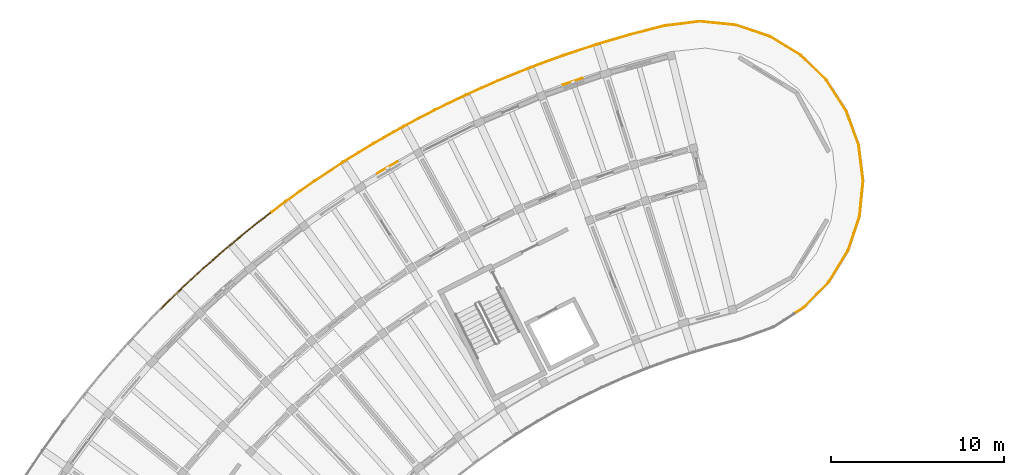
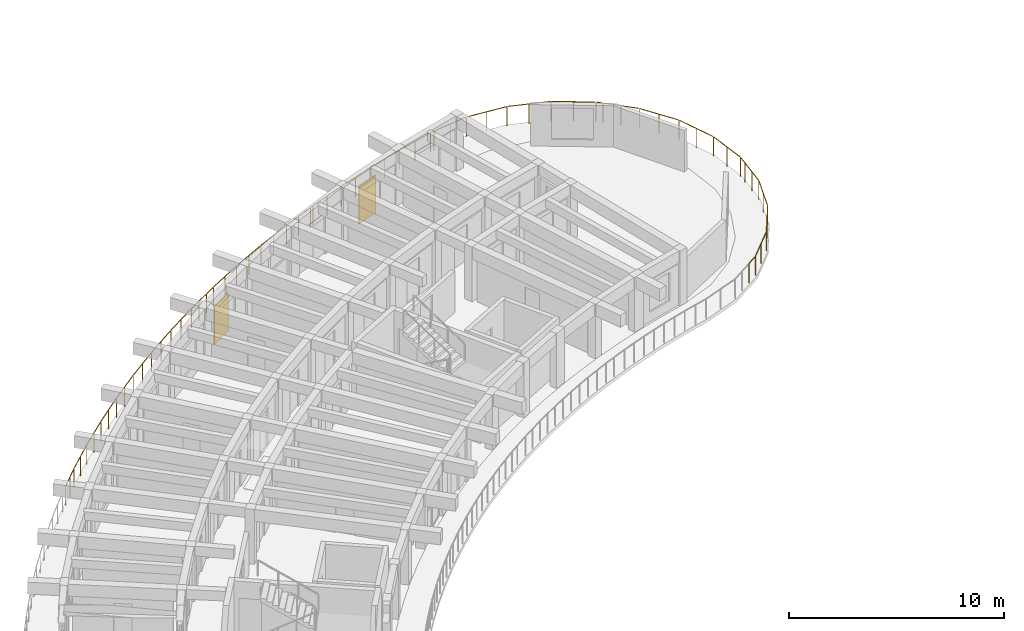
# One storey, part 30 of 32: 7 railings, 2 shading devices.
"""IFC4 building model written with IfcOpenShell, lengths in metres."""

from ifc_helpers import new_model, si_unit, direction, frame, origin, origin_2d, place, context, subcontext, project, spatial, rectangle, circle, extrude, material, layer, layer_set, type_object, element, save


model = new_model("IFC4")

# Units and contexts
model_context = context("Model", 3, precision=1e-05, world=origin(), true_north=direction((0.0, 1.0)))
body_context = subcontext(model_context, "Body", "Model", "MODEL_VIEW")
ifc_project = project(units=[si_unit("LENGTHUNIT", "METRE"), si_unit("AREAUNIT", "SQUARE_METRE"), si_unit("VOLUMEUNIT", "CUBIC_METRE"), si_unit("PLANEANGLEUNIT", "RADIAN"), si_unit("MASSUNIT", "GRAM", prefix="KILO")], contexts=[model_context])

# Site, building, storey
site_placement = place(None, origin())
site = spatial("IfcSite", under=ifc_project, at=site_placement, CompositionType="ELEMENT")
building_placement = place(site_placement, origin())
building = spatial("IfcBuilding", under=site, at=building_placement, Name="Tanwirah Colonnade Gardens", CompositionType="ELEMENT")
storey_placement = place(building_placement, frame((0.0, 0.0, 42.43994140625)))
storey = spatial("IfcBuildingStorey", under=building, at=storey_placement, Name="L12", CompositionType="ELEMENT", Elevation=42.43994140625)

# Railings
ifc_material_1 = material(Name="Precast concrete C40/50", Category="concrete")
railing_type = type_object("IfcRailingType", Name="BAL-EXT112", PredefinedType="BALUSTRADE", material=ifc_material_1)
railing_1_placement = place(storey_placement, frame((21.5400390625, 103.44970703125, 0.0)))
element("IfcRailing", 1, at=railing_1_placement, inside=storey, type_object=railing_type, Name="Block A L12 Balcony Ribbon Balustrade 12", PredefinedType="BALUSTRADE", context=body_context, shape_type="SweptSolid", body=[
    extrude(circle(Radius=0.02392578125, at=origin_2d()), frame((0.022216796875, 0.02197265625, 1.09619140625), z_axis=(0.710450809908, 0.703746862658, 0.0), x_axis=(-0.703746862658, 0.710450809908, 0.0)), (0.0, 0.0, 1.0), 1.394287109375),
    extrude(circle(Radius=0.02392578125, at=origin_2d()), frame((1.057861328125, 1.04638671875, 1.09619140625), z_axis=(0.733352454033, 0.679848643569, 0.0), x_axis=(-0.679848643569, 0.733352454033, 0.0)), (0.0, 0.0, 1.0), 1.958984375),
    extrude(circle(Radius=0.02392578125, at=origin_2d()), frame((2.541015625, 2.419921875, 1.09619140625), z_axis=(0.755338292497, 0.655335077565, 0.0), x_axis=(-0.655335077565, 0.755338292497, 0.0)), (0.0, 0.0, 1.0), 1.958984375),
    extrude(circle(Radius=0.02392578125, at=origin_2d()), frame((4.068359375, 3.743896484375, 1.09619140625), z_axis=(0.776549722569, 0.630055972417, 0.0), x_axis=(-0.630055972417, 0.776549722569, 0.0)), (0.0, 0.0, 1.0), 1.958984375),
    extrude(circle(Radius=0.02392578125, at=origin_2d()), frame((5.638916015625, 5.0166015625, 1.09619140625), z_axis=(0.796906571229, 0.604102571367, 0.0), x_axis=(-0.604102571367, 0.796906571229, 0.0)), (0.0, 0.0, 1.0), 0.916259765625),
    extrude(circle(Radius=0.02099609375, at=origin_2d()), origin(), (0.0, 0.0, 1.0), 1.069091796875),
    extrude(circle(Radius=0.02099609375, at=origin_2d()), frame((0.517578125, 0.5126953125, 0.0)), (0.0, 0.0, 1.0), 1.069091796875),
    extrude(circle(Radius=0.02099609375, at=origin_2d()), frame((1.034912109375, 1.025146484375, 0.0)), (0.0, 0.0, 1.0), 1.069091796875),
    extrude(circle(Radius=0.02099609375, at=origin_2d()), frame((1.776123046875, 1.71240234375, 0.0)), (0.0, 0.0, 1.0), 1.069091796875),
    extrude(circle(Radius=0.02099609375, at=origin_2d()), frame((2.517333984375, 2.3994140625, 0.0)), (0.0, 0.0, 1.0), 1.069091796875),
    extrude(circle(Radius=0.02099609375, at=origin_2d()), frame((3.28076171875, 3.061767578125, 0.0)), (0.0, 0.0, 1.0), 1.069091796875),
    extrude(circle(Radius=0.02099609375, at=origin_2d()), frame((4.044189453125, 3.72412109375, 0.0)), (0.0, 0.0, 1.0), 1.069091796875),
    extrude(circle(Radius=0.02099609375, at=origin_2d()), frame((4.8291015625, 4.36083984375, 0.0)), (0.0, 0.0, 1.0), 1.069091796875),
    extrude(circle(Radius=0.02099609375, at=origin_2d()), frame((5.614013671875, 4.997802734375, 0.0)), (0.0, 0.0, 1.0), 1.069091796875),
    extrude(circle(Radius=0.02099609375, at=origin_2d()), frame((6.39404296875, 5.589111328125, 0.0)), (0.0, 0.0, 1.0), 1.069091796875),
])
railing_2_placement = place(storey_placement, frame((27.93408203125, 109.038818359375, 0.0)))
element("IfcRailing", 2, at=railing_2_placement, inside=storey, type_object=railing_type, Name="Block A L12 Balcony Ribbon Balustrade 13", PredefinedType="BALUSTRADE", context=body_context, shape_type="SweptSolid", body=[
    extrude(circle(Radius=0.02392578125, at=origin_2d()), frame((0.02490234375, 0.018798828125, 1.09619140625), z_axis=(0.796870086541, 0.604150697407, 0.0), x_axis=(-0.604150697407, 0.796870086541, 0.0)), (0.0, 0.0, 1.0), 0.97998046875),
    extrude(circle(Radius=0.02392578125, at=origin_2d()), frame((0.8564453125, 0.64794921875, 1.09619140625), z_axis=(0.816344803849, 0.577564854565, 0.0), x_axis=(-0.577564854565, 0.816344803849, 0.0)), (0.0, 0.0, 1.0), 1.958740234375),
    extrude(circle(Radius=0.02392578125, at=origin_2d()), frame((2.507080078125, 1.814453125, 1.09619140625), z_axis=(0.834955682369, 0.550317188973, 0.0), x_axis=(-0.550317188973, 0.834955682369, 0.0)), (0.0, 0.0, 1.0), 1.959228515625),
    extrude(circle(Radius=0.02392578125, at=origin_2d()), frame((4.195556640625, 2.92626953125, 1.09619140625), z_axis=(0.852660263329, 0.522465764754, 0.0), x_axis=(-0.522465764754, 0.852660263329, 0.0)), (0.0, 0.0, 1.0), 1.958984375),
    extrude(circle(Radius=0.02392578125, at=origin_2d()), frame((5.919677734375, 3.9814453125, 1.09619140625), z_axis=(0.869394952384, 0.494117816688, 0.0), x_axis=(-0.494117816688, 0.869394952384, 0.0)), (0.0, 0.0, 1.0), 1.330322265625),
    extrude(circle(Radius=0.02099609375, at=origin_2d()), origin(), (0.0, 0.0, 1.0), 1.069091796875),
    extrude(circle(Radius=0.02099609375, at=origin_2d()), frame((0.830810546875, 0.6298828125, 0.0)), (0.0, 0.0, 1.0), 1.069091796875),
    extrude(circle(Radius=0.02099609375, at=origin_2d()), frame((1.65576171875, 1.213623046875, 0.0)), (0.0, 0.0, 1.0), 1.069091796875),
    extrude(circle(Radius=0.02099609375, at=origin_2d()), frame((2.48095703125, 1.79736328125, 0.0)), (0.0, 0.0, 1.0), 1.069091796875),
    extrude(circle(Radius=0.02099609375, at=origin_2d()), frame((3.324951171875, 2.353515625, 0.0)), (0.0, 0.0, 1.0), 1.069091796875),
    extrude(circle(Radius=0.02099609375, at=origin_2d()), frame((4.1689453125, 2.909912109375, 0.0)), (0.0, 0.0, 1.0), 1.069091796875),
    extrude(circle(Radius=0.02099609375, at=origin_2d()), frame((5.03076171875, 3.43798828125, 0.0)), (0.0, 0.0, 1.0), 1.069091796875),
    extrude(circle(Radius=0.02099609375, at=origin_2d()), frame((5.892578125, 3.966064453125, 0.0)), (0.0, 0.0, 1.0), 1.069091796875),
    extrude(circle(Radius=0.02099609375, at=origin_2d()), frame((6.498046875, 4.31005859375, 0.0)), (0.0, 0.0, 1.0), 1.069091796875),
    extrude(circle(Radius=0.02099609375, at=origin_2d()), frame((7.103515625, 4.654296875, 0.0)), (0.0, 0.0, 1.0), 1.069091796875),
])
railing_3_placement = place(storey_placement, frame((35.03759765625, 113.693115234375, 0.0)))
element("IfcRailing", 3, at=railing_3_placement, inside=storey, type_object=railing_type, Name="Block A L12 Balcony Ribbon Balustrade 14", PredefinedType="BALUSTRADE", context=body_context, shape_type="SweptSolid", body=[
    extrude(circle(Radius=0.02392578125, at=origin_2d()), frame((0.027099609375, 0.015380859375, 1.09619140625), z_axis=(0.869388290609, 0.494129537826, 0.0), x_axis=(-0.494129537826, 0.869388290609, 0.0)), (0.0, 0.0, 1.0), 0.56591796875),
    extrude(circle(Radius=0.02392578125, at=origin_2d()), frame((0.573974609375, 0.3251953125, 1.09619140625), z_axis=(0.885211446817, 0.465188880374, 0.0), x_axis=(-0.465188880374, 0.885211446817, 0.0)), (0.0, 0.0, 1.0), 1.958984375),
    extrude(circle(Radius=0.02392578125, at=origin_2d()), frame((2.364013671875, 1.2646484375, 1.09619140625), z_axis=(0.900055350621, 0.435775591122, 0.0), x_axis=(-0.435775591122, 0.900055350621, 0.0)), (0.0, 0.0, 1.0), 1.958740234375),
    extrude(circle(Radius=0.02392578125, at=origin_2d()), frame((4.183837890625, 2.14453125, 1.09619140625), z_axis=(0.913950953394, 0.405824660156, 0.0), x_axis=(-0.405824660156, 0.913950953394, 0.0)), (0.0, 0.0, 1.0), 1.958740234375),
    extrude(circle(Radius=0.02392578125, at=origin_2d()), frame((6.03173828125, 2.9638671875, 1.09619140625), z_axis=(0.926809166883, 0.37553264596, 0.0), x_axis=(-0.37553264596, 0.926809166883, 0.0)), (0.0, 0.0, 1.0), 1.744873046875),
    extrude(circle(Radius=0.02099609375, at=origin_2d()), origin(), (0.0, 0.0, 1.0), 1.069091796875),
    extrude(circle(Radius=0.02099609375, at=origin_2d()), frame((0.54638671875, 0.310546875, 0.0)), (0.0, 0.0, 1.0), 1.069091796875),
    extrude(circle(Radius=0.02099609375, at=origin_2d()), frame((1.441162109375, 0.78076171875, 0.0)), (0.0, 0.0, 1.0), 1.069091796875),
    extrude(circle(Radius=0.02099609375, at=origin_2d()), frame((2.3359375, 1.2509765625, 0.0)), (0.0, 0.0, 1.0), 1.069091796875),
    extrude(circle(Radius=0.02099609375, at=origin_2d()), frame((3.24560546875, 1.69140625, 0.0)), (0.0, 0.0, 1.0), 1.069091796875),
    extrude(circle(Radius=0.02099609375, at=origin_2d()), frame((4.1552734375, 2.1318359375, 0.0)), (0.0, 0.0, 1.0), 1.069091796875),
    extrude(circle(Radius=0.02099609375, at=origin_2d()), frame((5.0791015625, 2.5419921875, 0.0)), (0.0, 0.0, 1.0), 1.069091796875),
    extrude(circle(Radius=0.02099609375, at=origin_2d()), frame((6.002685546875, 2.9521484375, 0.0)), (0.0, 0.0, 1.0), 1.069091796875),
    extrude(circle(Radius=0.02099609375, at=origin_2d()), frame((6.84033203125, 3.29150390625, 0.0)), (0.0, 0.0, 1.0), 1.069091796875),
    extrude(circle(Radius=0.02099609375, at=origin_2d()), frame((7.677734375, 3.630859375, 0.0)), (0.0, 0.0, 1.0), 1.069091796875),
])
railing_4_placement = place(storey_placement, frame((42.71533203125, 117.323974609375, 0.0)))
element("IfcRailing", 4, at=railing_4_placement, inside=storey, type_object=railing_type, Name="Block A L12 Balcony Ribbon Balustrade 15", PredefinedType="BALUSTRADE", context=body_context, shape_type="SweptSolid", body=[
    extrude(circle(Radius=0.02392578125, at=origin_2d()), frame((0.029052734375, 0.01171875, 1.09619140625), z_axis=(0.926578309293, 0.376101896761, 0.0), x_axis=(-0.376101896761, 0.926578309293, 0.0)), (0.0, 0.0, 1.0), 0.151611328125),
    extrude(circle(Radius=0.02392578125, at=origin_2d()), frame((0.227783203125, 0.09130859375, 1.09619140625), z_axis=(0.938723993457, 0.344669789956, 0.0), x_axis=(-0.344669789956, 0.938723993457, 0.0)), (0.0, 0.0, 1.0), 1.958984375),
    extrude(circle(Radius=0.02392578125, at=origin_2d()), frame((2.1259765625, 0.787109375, 1.09619140625), z_axis=(0.949537316482, 0.313654084317, 0.0), x_axis=(-0.313654084317, 0.949537316482, 0.0)), (0.0, 0.0, 1.0), 1.958984375),
    extrude(circle(Radius=0.02392578125, at=origin_2d()), frame((4.045654296875, 1.420166015625, 1.09619140625), z_axis=(0.959371271211, 0.282146706477, 0.0), x_axis=(-0.282146706477, 0.959371271211, 0.0)), (0.0, 0.0, 1.0), 1.958740234375),
    extrude(circle(Radius=0.02392578125, at=origin_2d()), frame((5.985107421875, 1.989501953125, 1.09619140625), z_axis=(0.968153485753, 0.250357400578, 0.0), x_axis=(-0.250357400578, 0.968153485753, 0.0)), (0.0, 0.0, 1.0), 1.955078125),
    extrude(circle(Radius=0.02392578125, at=origin_2d()), frame((7.939208984375, 2.49072265625, 1.09619140625), z_axis=(0.992203958948, 0.124624651849, 0.0), x_axis=(-0.124624651849, 0.992203958948, 0.0)), (0.0, 0.0, 1.0), 0.14111328125),
    extrude(circle(Radius=0.02099609375, at=origin_2d()), origin(), (0.0, 0.0, 1.0), 1.069091796875),
    extrude(circle(Radius=0.02099609375, at=origin_2d()), frame((0.198486328125, 0.08056640625, 0.0)), (0.0, 0.0, 1.0), 1.069091796875),
    extrude(circle(Radius=0.02099609375, at=origin_2d()), frame((1.1474609375, 0.428955078125, 0.0)), (0.0, 0.0, 1.0), 1.069091796875),
    extrude(circle(Radius=0.02099609375, at=origin_2d()), frame((2.09619140625, 0.77734375, 0.0)), (0.0, 0.0, 1.0), 1.069091796875),
    extrude(circle(Radius=0.02099609375, at=origin_2d()), frame((3.055908203125, 1.09423828125, 0.0)), (0.0, 0.0, 1.0), 1.069091796875),
    extrude(circle(Radius=0.02099609375, at=origin_2d()), frame((4.015625, 1.411376953125, 0.0)), (0.0, 0.0, 1.0), 1.069091796875),
    extrude(circle(Radius=0.02099609375, at=origin_2d()), frame((4.9853515625, 1.696533203125, 0.0)), (0.0, 0.0, 1.0), 1.069091796875),
    extrude(circle(Radius=0.02099609375, at=origin_2d()), frame((5.954833984375, 1.981689453125, 0.0)), (0.0, 0.0, 1.0), 1.069091796875),
    extrude(circle(Radius=0.02099609375, at=origin_2d()), frame((6.931640625, 2.234375, 0.0)), (0.0, 0.0, 1.0), 1.069091796875),
    extrude(circle(Radius=0.02099609375, at=origin_2d()), frame((7.908203125, 2.48681640625, 0.0)), (0.0, 0.0, 1.0), 1.069091796875),
    extrude(circle(Radius=0.02099609375, at=origin_2d()), frame((8.1103515625, 2.51220703125, 0.0)), (0.0, 0.0, 1.0), 1.069091796875),
])
railing_5_placement = place(storey_placement, frame((50.82568359375, 119.836181640625, 0.0)))
element("IfcRailing", 5, at=railing_5_placement, inside=storey, type_object=railing_type, Name="Block A L12 Balcony Ribbon Balustrade 16", PredefinedType="BALUSTRADE", context=body_context, shape_type="SweptSolid", body=[
    extrude(circle(Radius=0.02392578125, at=origin_2d()), frame((0.031005859375, 0.00390625, 1.09619140625), z_axis=(0.992273895563, 0.124066579641, 0.0), x_axis=(-0.124066579641, 0.992273895563, 0.0)), (0.0, 0.0, 1.0), 1.82470703125),
    extrude(circle(Radius=0.02392578125, at=origin_2d()), frame((1.903564453125, 0.23095703125, 1.09619140625), z_axis=(0.99499656667, -0.099909120275, 0.0), x_axis=(0.099909120275, 0.99499656667, 0.0)), (0.0, 0.0, 1.0), 2.0244140625),
    extrude(circle(Radius=0.02392578125, at=origin_2d()), frame((3.978515625, 0.015625, 1.09619140625), z_axis=(0.947861179751, -0.318683516865, 0.0), x_axis=(0.318683516865, 0.947861179751, 0.0)), (0.0, 0.0, 1.0), 2.0244140625),
    extrude(circle(Radius=0.02392578125, at=origin_2d()), frame((5.95361328125, -0.65576171875, 1.09619140625), z_axis=(0.853116971032, -0.521719688853, 0.0), x_axis=(0.521719688853, 0.853116971032, 0.0)), (0.0, 0.0, 1.0), 2.024658203125),
    extrude(circle(Radius=0.02392578125, at=origin_2d()), frame((7.72998046875, -1.75, 1.09619140625), z_axis=(0.715722760087, -0.69838451493, 0.0), x_axis=(0.69838451493, 0.715722760087, 0.0)), (0.0, 0.0, 1.0), 0.28955078125),
    extrude(circle(Radius=0.02099609375, at=origin_2d()), origin(), (0.0, 0.0, 1.0), 1.069091796875),
    extrude(circle(Radius=0.02099609375, at=origin_2d()), frame((0.936279296875, 0.1171875, 0.0)), (0.0, 0.0, 1.0), 1.069091796875),
    extrude(circle(Radius=0.02099609375, at=origin_2d()), frame((1.87255859375, 0.234130859375, 0.0)), (0.0, 0.0, 1.0), 1.069091796875),
    extrude(circle(Radius=0.02099609375, at=origin_2d()), frame((2.91064453125, 0.1298828125, 0.0)), (0.0, 0.0, 1.0), 1.069091796875),
    extrude(circle(Radius=0.02099609375, at=origin_2d()), frame((3.948974609375, 0.025634765625, 0.0)), (0.0, 0.0, 1.0), 1.069091796875),
    extrude(circle(Radius=0.02099609375, at=origin_2d()), frame((4.93798828125, -0.306884765625, 0.0)), (0.0, 0.0, 1.0), 1.069091796875),
    extrude(circle(Radius=0.02099609375, at=origin_2d()), frame((5.927001953125, -0.639404296875, 0.0)), (0.0, 0.0, 1.0), 1.069091796875),
    extrude(circle(Radius=0.02099609375, at=origin_2d()), frame((6.8173828125, -1.183837890625, 0.0)), (0.0, 0.0, 1.0), 1.069091796875),
    extrude(circle(Radius=0.02099609375, at=origin_2d()), frame((7.70751953125, -1.728271484375, 0.0)), (0.0, 0.0, 1.0), 1.069091796875),
    extrude(circle(Radius=0.02099609375, at=origin_2d()), frame((7.95947265625, -1.97412109375, 0.0)), (0.0, 0.0, 1.0), 1.069091796875),
])
railing_6_placement = place(storey_placement, frame((58.78515625, 117.862060546875, 0.0)))
element("IfcRailing", 6, at=railing_6_placement, inside=storey, type_object=railing_type, Name="Block A L12 Balcony Ribbon Balustrade 17", PredefinedType="BALUSTRADE", context=body_context, shape_type="SweptSolid", body=[
    extrude(circle(Radius=0.02392578125, at=origin_2d()), frame((0.0224609375, -0.021728515625, 1.09619140625), z_axis=(0.715639525222, -0.698469806033, 0.0), x_axis=(0.698469806033, 0.715639525222, 0.0)), (0.0, 0.0, 1.0), 1.672119140625),
    extrude(circle(Radius=0.02392578125, at=origin_2d()), frame((1.25830078125, -1.238037109375, 1.09619140625), z_axis=(0.542329359592, -0.840165975105, 0.0), x_axis=(0.840165975105, 0.542329359592, 0.0)), (0.0, 0.0, 1.0), 2.0244140625),
    extrude(circle(Radius=0.02392578125, at=origin_2d()), frame((2.384033203125, -2.994384765625, 1.09619140625), z_axis=(0.34173366955, -0.939796839267, 0.0), x_axis=(0.939796839267, 0.34173366955, 0.0)), (0.0, 0.0, 1.0), 2.024169921875),
    extrude(circle(Radius=0.02392578125, at=origin_2d()), frame((3.09033203125, -4.957275390625, 1.09619140625), z_axis=(0.124121123069, -0.992267074334, 0.0), x_axis=(0.992267074334, 0.124121123069, 0.0)), (0.0, 0.0, 1.0), 2.0244140625),
    extrude(circle(Radius=0.02392578125, at=origin_2d()), frame((3.34228515625, -7.028076171875, 1.09619140625), z_axis=(-0.099695383778, -0.99501800509, 0.0), x_axis=(0.99501800509, -0.099695383778, 0.0)), (0.0, 0.0, 1.0), 0.44189453125),
    extrude(circle(Radius=0.02099609375, at=origin_2d()), origin(), (0.0, 0.0, 1.0), 1.069091796875),
    extrude(circle(Radius=0.02099609375, at=origin_2d()), frame((0.62060546875, -0.60595703125, 0.0)), (0.0, 0.0, 1.0), 1.069091796875),
    extrude(circle(Radius=0.02099609375, at=origin_2d()), frame((1.241455078125, -1.211669921875, 0.0)), (0.0, 0.0, 1.0), 1.069091796875),
    extrude(circle(Radius=0.02099609375, at=origin_2d()), frame((1.807373046875, -2.08837890625, 0.0)), (0.0, 0.0, 1.0), 1.069091796875),
    extrude(circle(Radius=0.02099609375, at=origin_2d()), frame((2.373291015625, -2.965087890625, 0.0)), (0.0, 0.0, 1.0), 1.069091796875),
    extrude(circle(Radius=0.02099609375, at=origin_2d()), frame((2.72998046875, -3.94580078125, 0.0)), (0.0, 0.0, 1.0), 1.069091796875),
    extrude(circle(Radius=0.02099609375, at=origin_2d()), frame((3.08642578125, -4.92626953125, 0.0)), (0.0, 0.0, 1.0), 1.069091796875),
    extrude(circle(Radius=0.02099609375, at=origin_2d()), frame((3.2158203125, -5.961669921875, 0.0)), (0.0, 0.0, 1.0), 1.069091796875),
    extrude(circle(Radius=0.02099609375, at=origin_2d()), frame((3.345458984375, -6.9970703125, 0.0)), (0.0, 0.0, 1.0), 1.069091796875),
    extrude(circle(Radius=0.02099609375, at=origin_2d()), frame((3.295166015625, -7.4990234375, 0.0)), (0.0, 0.0, 1.0), 1.069091796875),
])
railing_7_placement = place(storey_placement, frame((62.080322265625, 110.363037109375, 0.0)))
element("IfcRailing", 7, at=railing_7_placement, inside=storey, type_object=railing_type, Name="Block A L12 Balcony Ribbon Balustrade 18", PredefinedType="BALUSTRADE", context=body_context, shape_type="SweptSolid", body=[
    extrude(circle(Radius=0.02392578125, at=origin_2d()), frame((-0.003173828125, -0.031005859375, 1.09619140625), z_axis=(-0.099824511245, -0.995005058758, 0.0), x_axis=(0.995005058758, -0.099824511245, 0.0)), (0.0, 0.0, 1.0), 1.519775390625),
    extrude(circle(Radius=0.02392578125, at=origin_2d()), frame((-0.16796875, -1.60400390625, 1.09619140625), z_axis=(-0.318788620487, -0.947825836031, 0.0), x_axis=(0.947825836031, -0.318788620487, 0.0)), (0.0, 0.0, 1.0), 2.0244140625),
    extrude(circle(Radius=0.02392578125, at=origin_2d()), frame((-0.839599609375, -3.5791015625, 1.09619140625), z_axis=(-0.521634543826, -0.853169035237, 0.0), x_axis=(0.853169035237, -0.521634543826, 0.0)), (0.0, 0.0, 1.0), 2.0244140625),
    extrude(circle(Radius=0.02392578125, at=origin_2d()), frame((-1.93359375, -5.35546875, 1.09619140625), z_axis=(-0.698515331057, -0.715595089613, 0.0), x_axis=(0.715595089613, -0.698515331057, 0.0)), (0.0, 0.0, 1.0), 2.0244140625),
    extrude(circle(Radius=0.02392578125, at=origin_2d()), frame((-3.39599609375, -6.84326171875, 1.09619140625), z_axis=(-0.839968793657, -0.542634707407, 0.0), x_axis=(0.542634707407, -0.839968793657, 0.0)), (0.0, 0.0, 1.0), 0.59423828125),
    extrude(circle(Radius=0.02099609375, at=origin_2d()), origin(), (0.0, 0.0, 1.0), 1.069091796875),
    extrude(circle(Radius=0.02099609375, at=origin_2d()), frame((-0.0791015625, -0.787109375, 0.0)), (0.0, 0.0, 1.0), 1.069091796875),
    extrude(circle(Radius=0.02099609375, at=origin_2d()), frame((-0.157958984375, -1.574462890625, 0.0)), (0.0, 0.0, 1.0), 1.069091796875),
    extrude(circle(Radius=0.02099609375, at=origin_2d()), frame((-0.49072265625, -2.5634765625, 0.0)), (0.0, 0.0, 1.0), 1.069091796875),
    extrude(circle(Radius=0.02099609375, at=origin_2d()), frame((-0.8232421875, -3.552490234375, 0.0)), (0.0, 0.0, 1.0), 1.069091796875),
    extrude(circle(Radius=0.02099609375, at=origin_2d()), frame((-1.36767578125, -4.44287109375, 0.0)), (0.0, 0.0, 1.0), 1.069091796875),
    extrude(circle(Radius=0.02099609375, at=origin_2d()), frame((-1.911865234375, -5.3330078125, 0.0)), (0.0, 0.0, 1.0), 1.069091796875),
    extrude(circle(Radius=0.02099609375, at=origin_2d()), frame((-2.640625, -6.07958984375, 0.0)), (0.0, 0.0, 1.0), 1.069091796875),
    extrude(circle(Radius=0.02099609375, at=origin_2d()), frame((-3.36962890625, -6.826416015625, 0.0)), (0.0, 0.0, 1.0), 1.069091796875),
    extrude(circle(Radius=0.02099609375, at=origin_2d()), frame((-3.92138671875, -7.182861328125, 0.0)), (0.0, 0.0, 1.0), 1.069091796875),
])

# Shading devices
ifc_material_2 = material(Name="Perforated architectural bronze aluminium", Category="aluminium")
ifc_layer = layer(ifc_material_2, 0.044921875)
ifc_layer_set = layer_set([ifc_layer], Name="Perforated architectural bronze aluminium")
shading_device_type = type_object("IfcShadingDeviceType", Name="SHD-MSH1", PredefinedType="JALOUSIE", material=ifc_layer_set)
shading_device_1_placement = place(storey_placement, frame((45.3505859375, 116.600341796875, 0.0), z_axis=(0.0, 0.0, 1.0), x_axis=(-0.944248445411, -0.329233767009, 0.0)))
element("IfcShadingDevice", 8, at=shading_device_1_placement, inside=storey, type_object=shading_device_type, Name="Bronze mashrabiya solar screen A-L12-03", PredefinedType="JALOUSIE", context=body_context, shape_type="SweptSolid", body=[
    extrude(rectangle(XDim=1.199951171875, YDim=0.044921875, at=origin_2d()), origin(), (0.0, 0.0, 1.0), 2.159912109375),
])
shading_device_2_placement = place(storey_placement, frame((34.62451171875, 111.623779296875, 0.0), z_axis=(0.0, 0.0, 1.0), x_axis=(-0.861135993911, -0.508374664978, 0.0)))
element("IfcShadingDevice", 9, at=shading_device_2_placement, inside=storey, type_object=shading_device_type, Name="Bronze mashrabiya solar screen A-L12-06", PredefinedType="JALOUSIE", context=body_context, shape_type="SweptSolid", body=[
    extrude(rectangle(XDim=1.35009765625, YDim=0.044921875, at=origin_2d()), origin(), (0.0, 0.0, 1.0), 2.159912109375),
])

save(model, "model.ifc")
